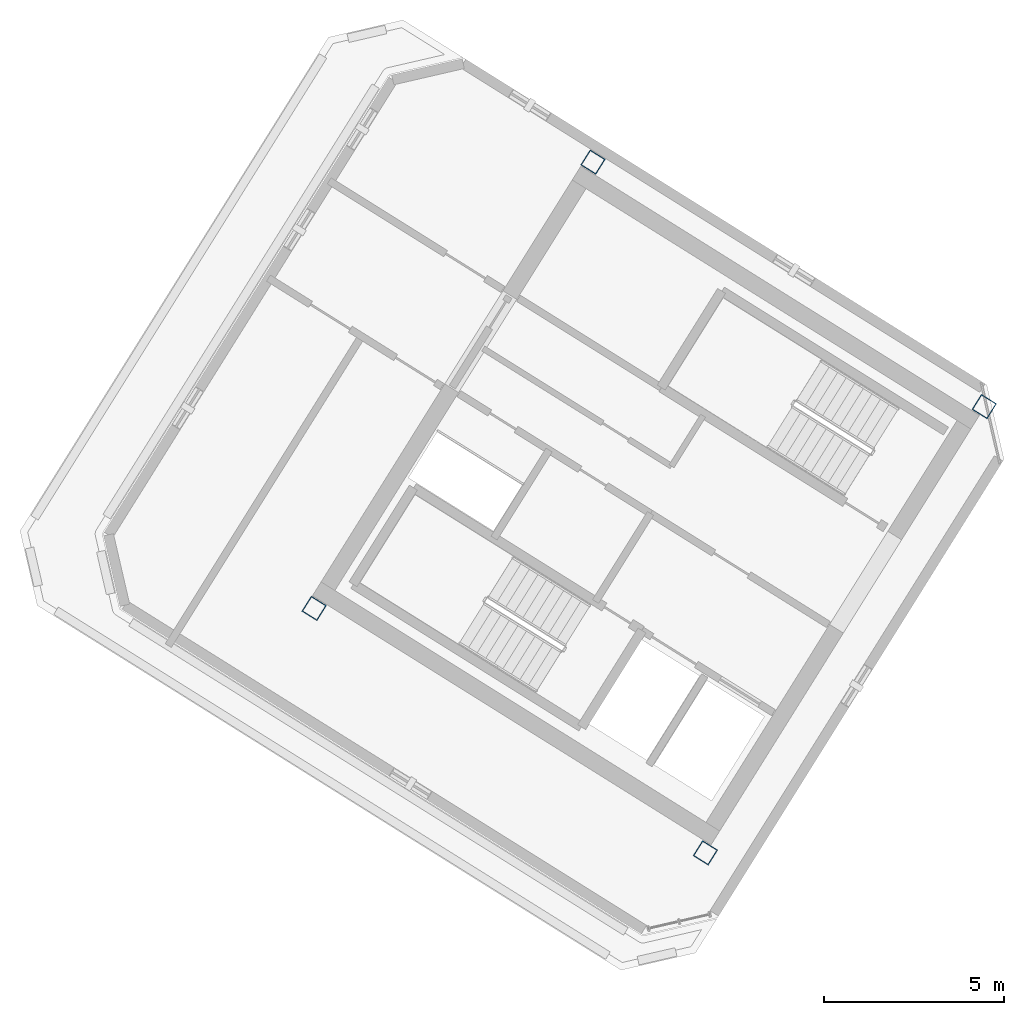
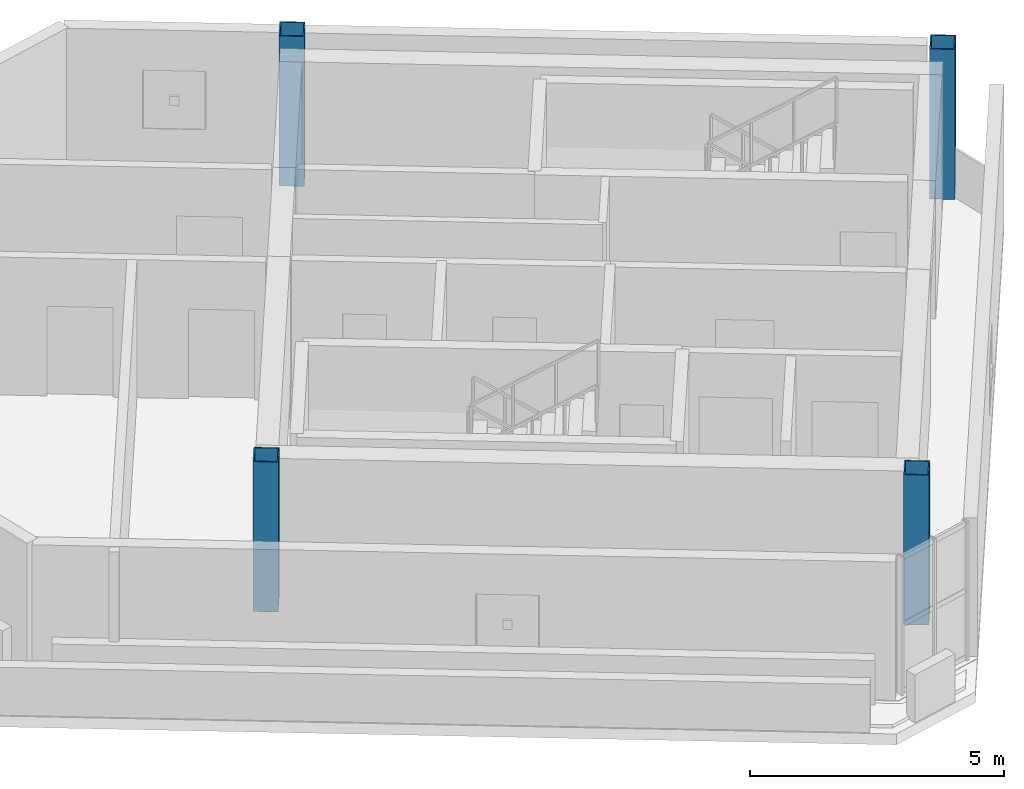
# One storey, part 1 of 7: 4 columns.
"""IFC4 building model written with IfcOpenShell, lengths in metres."""

from ifc_helpers import new_model, si_unit, direction, frame, origin, origin_2d, place, context, subcontext, project, spatial, hollow_rectangle, extrude, source, transform, mapped, material, material_profile, profile_set, type_object, element, save


model = new_model("IFC4")

# Units and contexts
model_context = context("Model", 3, precision=1e-05, world=origin(), true_north=direction((0.0, 1.0)))
body_context = subcontext(model_context, "Body", "Model", "MODEL_VIEW")
ifc_project = project(units=[si_unit("LENGTHUNIT", "METRE"), si_unit("AREAUNIT", "SQUARE_METRE"), si_unit("VOLUMEUNIT", "CUBIC_METRE"), si_unit("PLANEANGLEUNIT", "RADIAN"), si_unit("MASSUNIT", "GRAM", prefix="KILO")], contexts=[model_context])

# Site, building, storey
site_placement = place(None, origin())
site = spatial("IfcSite", under=ifc_project, at=site_placement, CompositionType="ELEMENT")
building_placement = place(site_placement, origin())
building = spatial("IfcBuilding", under=site, at=building_placement, Name="Tlacorven Tower", CompositionType="ELEMENT")
storey_placement = place(building_placement, frame((0.0, 0.0, 309.60009765625)))
storey = spatial("IfcBuildingStorey", under=building, at=storey_placement, Name="L79", CompositionType="ELEMENT", Elevation=309.60009765625)

# Columns
ifc_material = material(Name="Steel S355J2", Category="steel")
ifc_material_profile = material_profile(ifc_material, hollow_rectangle(XDim=0.5, YDim=0.5, WallThickness=0.02490234375, at=origin_2d()), Name="BOX 500X500X25")
ifc_profile_set = profile_set([ifc_material_profile], Name="Steel S355J2")
column_type = type_object("IfcColumnType", Name="COL-CRN-01", PredefinedType="COLUMN", material=ifc_profile_set)
shared_shape = source(origin(), body_context, "Body", "SweptSolid", [
    extrude(hollow_rectangle(XDim=0.5, YDim=0.5, WallThickness=0.02490234375, at=origin_2d()), origin(), (0.0, 0.0, 1.0), 3.599853515625),
])
for number, where, z_axis, x_axis, name in (
    (1, (40.782958984375, 24.468505859375, 0.0), (0.0, 0.0, 1.0), (-0.848048096156, 0.529919264233, 0.0), "L79 column COL-L79-CR11"),
    (2, (33.046142578125, 12.0869140625, 0.0), (0.0, 0.0, 1.0), (-0.848048096156, 0.529919264233, 0.0), "L79 column COL-L79-CR12"),
    (3, (29.927978515625, 31.25146484375, 0.0), (0.0, 0.0, 1.0), (-0.848048096156, 0.529919264233, 0.0), "L79 column COL-L79-CR21"),
    (4, (22.191162109375, 18.869873046875, 0.0), (0.0, 0.0, 1.0), (-0.848048096156, 0.529919264233, 0.0), "L79 column COL-L79-CR22"),
):
    element("IfcColumn", number, at=place(storey_placement, frame(where, z_axis=z_axis, x_axis=x_axis)), inside=storey, type_object=column_type, Name=name, PredefinedType="COLUMN", context=body_context, shape_type="MappedRepresentation", body=[
        mapped(shared_shape, transform((0.0, 0.0, 0.0), scale=1.0)),
    ])

save(model, "model.ifc")
